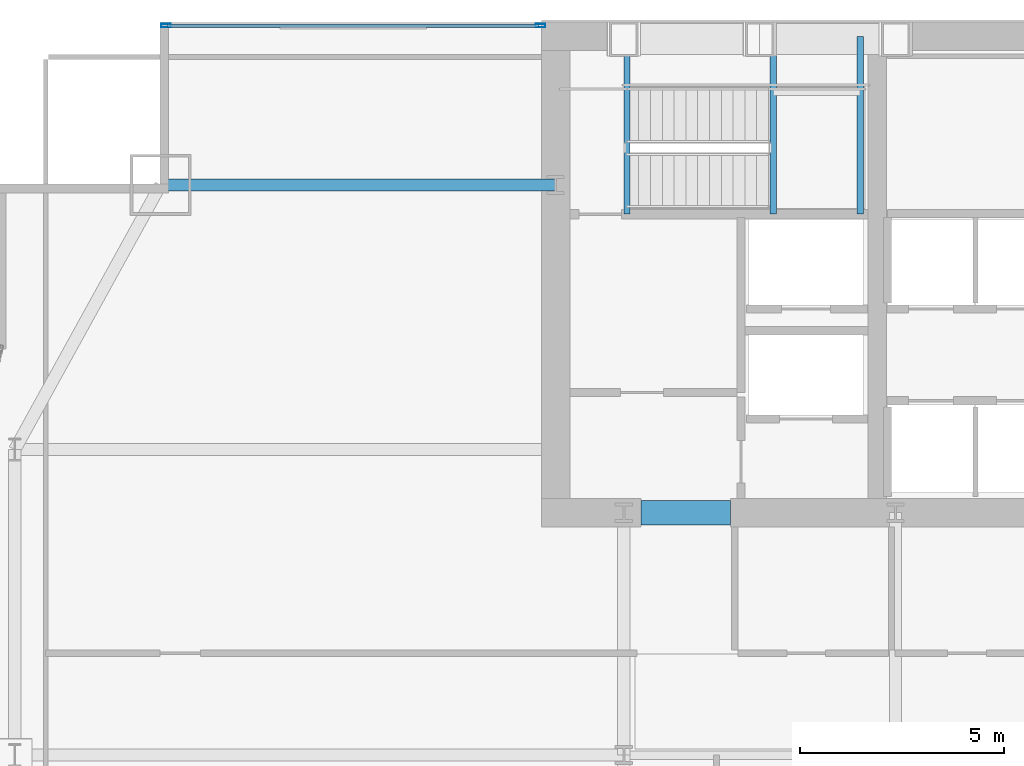
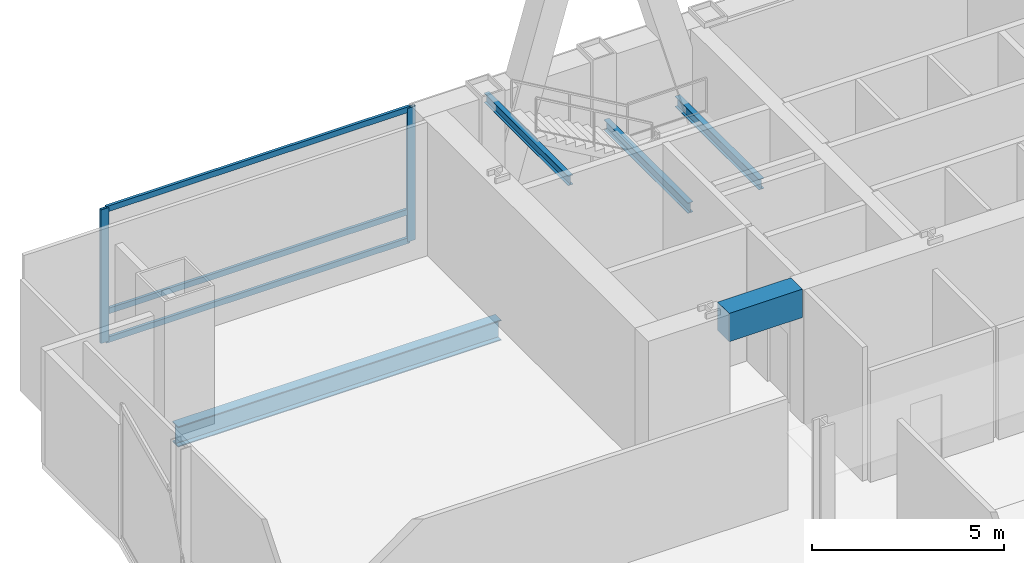
# One storey, part 19 of 32: 5 beams, 5 members, 1 element without a shape of its own.
"""IFC4 building model written with IfcOpenShell, lengths in metres."""

from ifc_helpers import new_model, si_unit, direction, frame, origin, origin_2d, place, context, subcontext, project, spatial, rectangle, hollow_rectangle, i_section, extrude, material, material_profile, profile_set, type_object, element, aggregate, save


model = new_model("IFC4")

# Units and contexts
model_context = context("Model", 3, precision=1e-05, world=origin(), true_north=direction((0.0, 1.0)))
body_context = subcontext(model_context, "Body", "Model", "MODEL_VIEW")
ifc_project = project(units=[si_unit("LENGTHUNIT", "METRE"), si_unit("AREAUNIT", "SQUARE_METRE"), si_unit("VOLUMEUNIT", "CUBIC_METRE"), si_unit("PLANEANGLEUNIT", "RADIAN"), si_unit("MASSUNIT", "GRAM", prefix="KILO")], contexts=[model_context])

# Site, building, storey
site_placement = place(None, origin())
site = spatial("IfcSite", under=ifc_project, at=site_placement, CompositionType="ELEMENT")
building_placement = place(site_placement, origin())
building = spatial("IfcBuilding", under=site, at=building_placement, Name="Khoronbel Lancet Exchange", CompositionType="ELEMENT")
storey_placement = place(building_placement, frame((0.0, 0.0, 106.60009765625)))
storey = spatial("IfcBuildingStorey", under=building, at=storey_placement, Name="L25", CompositionType="ELEMENT", Elevation=106.60009765625)

# Beams
ifc_material_1 = material(Name="Steel S355", Category="steel")
ifc_material_profile_1 = material_profile(ifc_material_1, i_section(OverallWidth=0.159912109375, OverallDepth=0.330078125, WebThickness=0.007568359375, FlangeThickness=0.011474609375, at=origin_2d()), Name="IPE 330")
ifc_profile_set_1 = profile_set([ifc_material_profile_1], Name="Steel S355")
beam_type_1 = type_object("IfcBeamType", Name="BM-BJ7", PredefinedType="JOIST", material=ifc_profile_set_1)
for number, where, z_axis, x_axis, name in (
    (1, (21.89990234375, 48.97998046875, 1.8349609375), (0.0, 1.0, 0.0), (-1.0, 0.0, 0.0), "Level L25 stair ST1 landing bearer beam 1"),
    (2, (24.030029296875, 48.97998046875, 1.8349609375), (0.0, 1.0, 0.0), (-1.0, 0.0, 0.0), "Level L25 stair ST1 rear landing bearer beam 1"),
):
    element("IfcBeam", number, at=place(storey_placement, frame(where, z_axis=z_axis, x_axis=x_axis)), inside=storey, type_object=beam_type_1, Name=name, PredefinedType="JOIST", context=body_context, shape_type="SweptSolid", body=[
        extrude(i_section(OverallWidth=0.159912109375, OverallDepth=0.330078125, WebThickness=0.007568359375, FlangeThickness=0.011474609375, at=origin_2d()), origin(), (0.0, 0.0, 1.0), 4.3701171875),
    ])
ifc_material_profile_2 = material_profile(ifc_material_1, i_section(OverallWidth=0.14990234375, OverallDepth=0.300048828125, WebThickness=0.007080078125, FlangeThickness=0.0107421875, at=origin_2d()), Name="IPE 300")
ifc_profile_set_2 = profile_set([ifc_material_profile_2], Name="Steel S355")
beam_type_2 = type_object("IfcBeamType", Name="BM-BJ8", PredefinedType="JOIST", material=ifc_profile_set_2)
beam_1_placement = place(storey_placement, frame((18.300048828125, 48.97998046875, 3.9599609375), z_axis=(0.0, 1.0, 0.0), x_axis=(-1.0, 0.0, 0.0)))
element("IfcBeam", 3, at=beam_1_placement, inside=storey, type_object=beam_type_2, Name="Level L25 stair ST1 upper-flight arrival trimmer beam", PredefinedType="JOIST", context=body_context, shape_type="SweptSolid", body=[
    extrude(i_section(OverallWidth=0.14990234375, OverallDepth=0.300048828125, WebThickness=0.007080078125, FlangeThickness=0.0107421875, at=origin_2d()), origin(), (0.0, 0.0, 1.0), 4.3701171875),
])
ifc_material_2 = material(Name="Concrete C80/95", Category="concrete")
ifc_material_profile_3 = material_profile(ifc_material_2, rectangle(XDim=0.60009765625, YDim=0.89990234375, at=origin_2d()), Name="RC 600x900")
ifc_profile_set_3 = profile_set([ifc_material_profile_3], Name="Concrete C80/95")
beam_type_3 = type_object("IfcBeamType", Name="BM-BL1", PredefinedType="LINTEL", material=ifc_profile_set_3)
beam_2_placement = place(storey_placement, frame((18.64990234375, 41.64990234375, 3.789794921875), z_axis=(1.0, 0.0, 0.0), x_axis=(0.0, 1.0, 0.0)))
element("IfcBeam", 4, at=beam_2_placement, inside=storey, type_object=beam_type_3, Name="Level L25 rear core coupling lintel L1", PredefinedType="LINTEL", context=body_context, shape_type="SweptSolid", body=[
    extrude(rectangle(XDim=0.60009765625, YDim=0.89990234375, at=origin_2d()), origin(), (0.0, 0.0, 1.0), 2.2001953125),
])
ifc_material_profile_4 = material_profile(ifc_material_1, i_section(OverallWidth=0.300048828125, OverallDepth=0.64990234375, WebThickness=0.01611328125, FlangeThickness=0.031005859375, at=origin_2d()), Name="HEB 650")
ifc_profile_set_4 = profile_set([ifc_material_profile_4], Name="Steel S355")
beam_type_4 = type_object("IfcBeamType", Name="BM-BSP1", PredefinedType="SPANDREL", material=ifc_profile_set_4)
beam_3_placement = place(storey_placement, frame((6.85009765625, 49.699951171875, -0.525146484375), z_axis=(1.0, 0.0, 0.0), x_axis=(0.0, 1.0, 0.0)))
element("IfcBeam", 5, at=beam_3_placement, inside=storey, type_object=beam_type_4, Name="Level L25 north flank tie spandrel SP22", PredefinedType="SPANDREL", context=body_context, shape_type="SweptSolid", body=[
    extrude(i_section(OverallWidth=0.300048828125, OverallDepth=0.64990234375, WebThickness=0.01611328125, FlangeThickness=0.031005859375, at=origin_2d()), origin(), (0.0, 0.0, 1.0), 9.699951171875),
])

# Curtain wall, members
ifc_material_3 = material(Name="Low-E Solar Control Insulating Glass", Category="glass")
curtain_wall_type = type_object("IfcCurtainWallType", Name="CW-2", PredefinedType="NOTDEFINED", material=ifc_material_3)
curtain_wall_placement = place(storey_placement, origin())
curtain_wall = element("IfcCurtainWall", 6, at=curtain_wall_placement, inside=storey, type_object=curtain_wall_type, Name="Unitised curtain wall CW-L25-NWFLK", PredefinedType="NOTDEFINED")
ifc_material_4 = material(Name="Bronze-Anodised Aluminium 6063-T6", Category="aluminium")
ifc_material_profile_5 = material_profile(ifc_material_4, hollow_rectangle(XDim=0.0849609375, YDim=0.239990234375, WallThickness=0.006103515625, at=origin_2d()), Name="ALU MULLION 85x240")
ifc_profile_set_5 = profile_set([ifc_material_profile_5], Name="Bronze-Anodised Aluminium 6063-T6")
member_type_1 = type_object("IfcMemberType", Name="MEM-CWM1", PredefinedType="MULLION", material=ifc_profile_set_5)
member_1_placement = place(storey_placement, frame((16.177490234375, 53.610107421875, 0.0), z_axis=(0.0, 0.0, 1.0), x_axis=(0.0, -1.0, 0.0)))
member_1 = element("IfcMember", 7, at=member_1_placement, type_object=member_type_1, Name="CW2 mullion 1", PredefinedType="MULLION", context=body_context, shape_type="SweptSolid", body=[
    extrude(hollow_rectangle(XDim=0.0849609375, YDim=0.239990234375, WallThickness=0.006103515625, at=origin_2d()), origin(), (0.0, 0.0, 1.0), 4.239990234375),
])
member_2_placement = place(storey_placement, frame((6.982421875, 53.610107421875, 0.0), z_axis=(0.0, 0.0, 1.0), x_axis=(0.0, -1.0, 0.0)))
member_2 = element("IfcMember", 8, at=member_2_placement, type_object=member_type_1, Name="CW2 mullion 2", PredefinedType="MULLION", context=body_context, shape_type="SweptSolid", body=[
    extrude(hollow_rectangle(XDim=0.0849609375, YDim=0.239990234375, WallThickness=0.006103515625, at=origin_2d()), origin(), (0.0, 0.0, 1.0), 4.239990234375),
])
ifc_material_profile_6 = material_profile(ifc_material_4, hollow_rectangle(XDim=0.0849609375, YDim=0.179931640625, WallThickness=0.0048828125, at=origin_2d()), Name="ALU TRANSOM 85x180")
ifc_profile_set_6 = profile_set([ifc_material_profile_6], Name="Bronze-Anodised Aluminium 6063-T6")
member_type_2 = type_object("IfcMemberType", Name="MEM-CWT1", PredefinedType="USERDEFINED", material=ifc_profile_set_6)
member_3_placement = place(storey_placement, frame((16.135009765625, 53.610107421875, 0.04248046875), z_axis=(-1.0, 0.0, 0.0), x_axis=(0.0, -1.0, 0.0)))
member_3 = element("IfcMember", 9, at=member_3_placement, type_object=member_type_2, Name="CW2 transom 1.1", ObjectType="TRANSOM", PredefinedType="USERDEFINED", context=body_context, shape_type="SweptSolid", body=[
    extrude(hollow_rectangle(XDim=0.0849609375, YDim=0.179931640625, WallThickness=0.0048828125, at=origin_2d()), origin(), (0.0, 0.0, 1.0), 9.110107421875),
])
member_4_placement = place(storey_placement, frame((16.135009765625, 53.610107421875, 0.949951171875), z_axis=(-1.0, 0.0, 0.0), x_axis=(0.0, -1.0, 0.0)))
member_4 = element("IfcMember", 10, at=member_4_placement, type_object=member_type_2, Name="CW2 transom 1.2", ObjectType="TRANSOM", PredefinedType="USERDEFINED", context=body_context, shape_type="SweptSolid", body=[
    extrude(hollow_rectangle(XDim=0.0849609375, YDim=0.179931640625, WallThickness=0.0048828125, at=origin_2d()), origin(), (0.0, 0.0, 1.0), 9.110107421875),
])
member_5_placement = place(storey_placement, frame((16.135009765625, 53.610107421875, 4.197509765625), z_axis=(-1.0, 0.0, 0.0), x_axis=(0.0, -1.0, 0.0)))
member_5 = element("IfcMember", 11, at=member_5_placement, type_object=member_type_2, Name="CW2 transom 1.3", ObjectType="TRANSOM", PredefinedType="USERDEFINED", context=body_context, shape_type="SweptSolid", body=[
    extrude(hollow_rectangle(XDim=0.0849609375, YDim=0.179931640625, WallThickness=0.0048828125, at=origin_2d()), origin(), (0.0, 0.0, 1.0), 9.110107421875),
])
aggregate(curtain_wall, [member_1, member_2, member_3, member_4, member_5])

save(model, "model.ifc")
